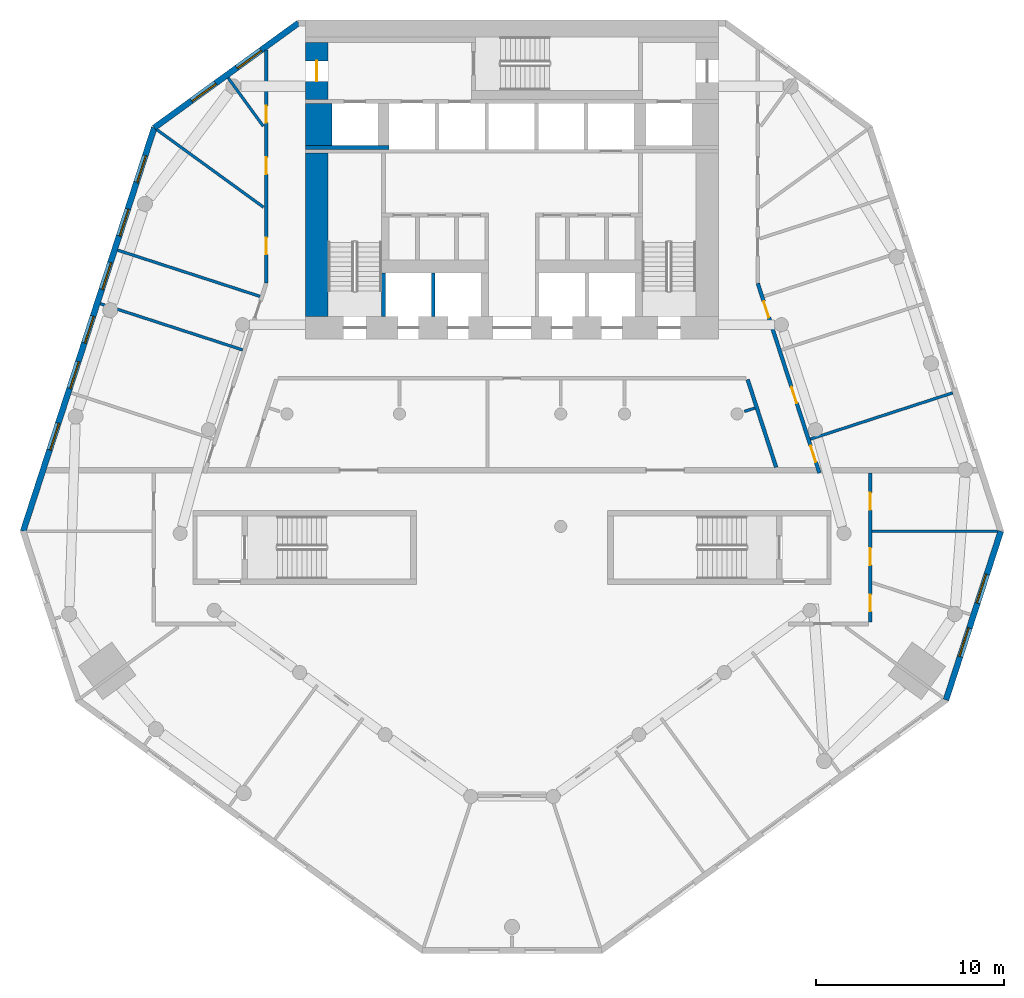
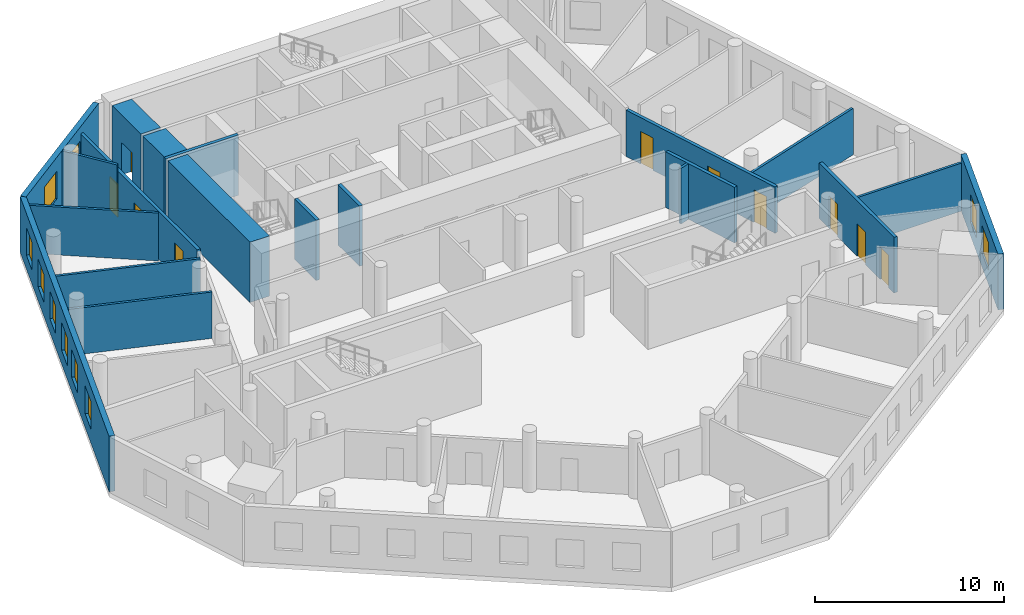
# One storey, part 4 of 9: 20 walls, 10 doors, 10 windows, 20 openings.
"""IFC4 building model written with IfcOpenShell, lengths in metres."""

from ifc_helpers import new_model, si_unit, direction, frame, frame_2d, origin, place, context, subcontext, project, spatial, rectangle, extrude, material, layer, layer_set, type_object, element, fill, save


model = new_model("IFC4")

# Units and contexts
model_context = context("Model", 3, precision=1e-05, world=origin(), true_north=direction((0.0, 1.0)))
body_context = subcontext(model_context, "Body", "Model", "MODEL_VIEW")
ifc_project = project(units=[si_unit("LENGTHUNIT", "METRE"), si_unit("AREAUNIT", "SQUARE_METRE"), si_unit("VOLUMEUNIT", "CUBIC_METRE"), si_unit("PLANEANGLEUNIT", "RADIAN"), si_unit("MASSUNIT", "GRAM", prefix="KILO")], contexts=[model_context])

# Site, building, storey
site_placement = place(None, origin())
site = spatial("IfcSite", under=ifc_project, at=site_placement, CompositionType="ELEMENT")
building_placement = place(site_placement, origin())
building = spatial("IfcBuilding", under=site, at=building_placement, Name="White Candle Pilgrim Tower", CompositionType="ELEMENT")
storey_placement = place(building_placement, frame((0.0, 0.0, 58.5)))
storey = spatial("IfcBuildingStorey", under=building, at=storey_placement, Name="L11", CompositionType="ELEMENT", Elevation=58.5)

# Wall, opening, door
ifc_material_1 = material(Name="Concrete C70/85", Category="concrete")
ifc_layer_1 = layer(ifc_material_1, 1.199951171875)
ifc_layer_set_1 = layer_set([ifc_layer_1], Name="Core wall 1200 mm Concrete C70/85")
wall_type_1 = type_object("IfcWallType", Name="Core wall 1200 mm Concrete C70/85", PredefinedType="SHEAR", material=ifc_layer_set_1)
wall_1_placement = place(storey_placement, frame((59.60009765625, 83.75, 0.0), z_axis=(0.0, 0.0, 1.0), x_axis=(0.0, 1.0, 0.0)))
wall_1 = element("IfcWall", 1, at=wall_1_placement, inside=storey, type_object=wall_type_1, Name="WL-L11-C46", PredefinedType="SHEAR", context=body_context, shape_type="SweptSolid", body=[
    extrude(rectangle(XDim=3.050048828125, YDim=1.199951171875, at=frame_2d((1.52490234375, 0.0))), origin(), (0.0, 0.0, 1.0), 3.89990234375),
])
opening_1_placement = place(wall_1_placement, frame((0.97509765625, 0.0, 0.0)))
opening_1 = element("IfcOpeningElement", 2, at=opening_1_placement, cuts=wall_1, Name="Opening T03-005", PredefinedType="OPENING", context=body_context, shape_type="SweptSolid", body=[
    extrude(rectangle(XDim=1.10009765625, YDim=2.10009765625, at=frame_2d((0.550048828125, 1.050048828125))), frame((0.0, 0.60986328125, 0.0), z_axis=(0.0, -1.0, 0.0), x_axis=(1.0, 0.0, 0.0)), (0.0, 0.0, 1.0), 1.219970703125),
])
ifc_material_2 = material(Name="Steel door leaf", Category="steel")
door_type_1 = type_object("IfcDoorType", Name="Fire door 1100 x 2100 EI 60", OperationType="NOTDEFINED", PredefinedType="DOOR", material=ifc_material_2)
door_1_placement = place(opening_1_placement, origin())
door_1 = element("IfcDoor", 3, at=door_1_placement, inside=storey, type_object=door_type_1, Name="Door T03-005", OperationType="SINGLE_SWING_LEFT", OverallHeight=2.10009765625, OverallWidth=1.10009765625, PredefinedType="DOOR", context=body_context, shape_type="SweptSolid", body=[
    extrude(rectangle(XDim=1.10009765625, YDim=2.10009765625, at=frame_2d((0.550048828125, 1.050048828125))), frame((0.0, 0.02490234375, 0.0), z_axis=(0.0, -1.0, 0.0), x_axis=(1.0, 0.0, 0.0)), (0.0, 0.0, 1.0), 0.050048828125),
])
fill(opening_1, door_1)

# Walls
ifc_layer_2 = layer(ifc_material_1, 1.39990234375)
ifc_layer_set_2 = layer_set([ifc_layer_2], Name="Core wall 1400 mm Concrete C70/85")
wall_type_2 = type_object("IfcWallType", Name="Core wall 1400 mm Concrete C70/85", PredefinedType="SHEAR", material=ifc_layer_set_2)
wall_2_placement = place(storey_placement, frame((59.699951171875, 81.300048828125, 0.0), z_axis=(0.0, 0.0, 1.0), x_axis=(0.0, 1.0, 0.0)))
element("IfcWall", 4, at=wall_2_placement, inside=storey, type_object=wall_type_2, Name="WL-L11-C41", PredefinedType="SHEAR", context=body_context, shape_type="SweptSolid", body=[
    extrude(rectangle(XDim=2.25, YDim=1.39990234375, at=frame_2d((1.125, 0.0))), origin(), (0.0, 0.0, 1.0), 3.89990234375),
])
ifc_layer_3 = layer(ifc_material_1, 0.199951171875)
ifc_layer_set_3 = layer_set([ifc_layer_3], Name="Core wall 200 mm Concrete C70/85")
wall_type_3 = type_object("IfcWallType", Name="Core wall 200 mm Concrete C70/85", PredefinedType="SHEAR", material=ifc_layer_set_3)
wall_3_placement = place(storey_placement, frame((59.0, 81.199951171875, 0.0), z_axis=(0.0, 0.0, 1.0), x_axis=(1.0, 0.0, 0.0)))
element("IfcWall", 5, at=wall_3_placement, inside=storey, type_object=wall_type_3, Name="WL-L11-C35", PredefinedType="SHEAR", context=body_context, shape_type="SweptSolid", body=[
    extrude(rectangle(XDim=4.449951171875, YDim=0.199951171875, at=frame_2d((2.22509765625, 0.0))), origin(), (0.0, 0.0, 1.0), 3.89990234375),
])

# Wall, openings, doors
ifc_material_3 = material(Name="Gypsum board on steel studs", Category="steel")
ifc_layer_4 = layer(ifc_material_3, 0.199951171875)
ifc_layer_set_4 = layer_set([ifc_layer_4], Name="Corridor wall 200 mm EI 45")
wall_type_4 = type_object("IfcWallType", Name="Corridor wall 200 mm EI 45", PredefinedType="PARTITIONING", material=ifc_layer_set_4)
wall_4_placement = place(storey_placement, frame((56.89990234375, 73.991455078125, 0.0), z_axis=(0.0, 0.0, 1.0), x_axis=(0.0, 1.0, 0.0)))
wall_4 = element("IfcWall", 6, at=wall_4_placement, inside=storey, type_object=wall_type_4, Name="WL-L11-P003", PredefinedType="PARTITIONING", context=body_context, shape_type="SweptSolid", body=[
    extrude(rectangle(XDim=12.40478515625, YDim=0.199951171875, at=frame_2d((6.202392578125, 0.0))), origin(), (0.0, 0.0, 1.0), 3.10009765625),
])
opening_2_placement = place(wall_4_placement, frame((1.507568359375, 0.0, 0.0)))
opening_2 = element("IfcOpeningElement", 7, at=opening_2_placement, cuts=wall_4, Name="Opening T03-118", PredefinedType="OPENING", context=body_context, shape_type="SweptSolid", body=[
    extrude(rectangle(XDim=0.89990234375, YDim=2.10009765625, at=frame_2d((0.449951171875, 1.050048828125))), frame((0.0, 0.10986328125, 0.0), z_axis=(0.0, -1.0, 0.0), x_axis=(1.0, 0.0, 0.0)), (0.0, 0.0, 1.0), 0.219970703125),
])
opening_3_placement = place(wall_4_placement, frame((5.78759765625, 0.0, 0.0)))
opening_3 = element("IfcOpeningElement", 8, at=opening_3_placement, cuts=wall_4, Name="Opening T03-119", PredefinedType="OPENING", context=body_context, shape_type="SweptSolid", body=[
    extrude(rectangle(XDim=0.89990234375, YDim=2.10009765625, at=frame_2d((0.449951171875, 1.050048828125))), frame((0.0, 0.10986328125, 0.0), z_axis=(0.0, -1.0, 0.0), x_axis=(1.0, 0.0, 0.0)), (0.0, 0.0, 1.0), 0.219970703125),
])
opening_4_placement = place(wall_4_placement, frame((8.533203125, 0.0, 0.0)))
opening_4 = element("IfcOpeningElement", 9, at=opening_4_placement, cuts=wall_4, Name="Opening T03-120", PredefinedType="OPENING", context=body_context, shape_type="SweptSolid", body=[
    extrude(rectangle(XDim=0.89990234375, YDim=2.10009765625, at=frame_2d((0.449951171875, 1.050048828125))), frame((0.0, 0.10986328125, 0.0), z_axis=(0.0, -1.0, 0.0), x_axis=(1.0, 0.0, 0.0)), (0.0, 0.0, 1.0), 0.219970703125),
])
door_type_2 = type_object("IfcDoorType", Name="Fire door 900 x 2100 EI 30", OperationType="NOTDEFINED", PredefinedType="DOOR", material=ifc_material_2)
door_2_placement = place(opening_2_placement, origin())
door_2 = element("IfcDoor", 10, at=door_2_placement, inside=storey, type_object=door_type_2, Name="Door T03-118", OperationType="SINGLE_SWING_RIGHT", OverallHeight=2.10009765625, OverallWidth=0.89990234375, PredefinedType="DOOR", context=body_context, shape_type="SweptSolid", body=[
    extrude(rectangle(XDim=0.89990234375, YDim=2.10009765625, at=frame_2d((0.449951171875, 1.050048828125))), frame((0.0, 0.02490234375, 0.0), z_axis=(0.0, -1.0, 0.0), x_axis=(1.0, 0.0, 0.0)), (0.0, 0.0, 1.0), 0.050048828125),
])
fill(opening_2, door_2)
door_3_placement = place(opening_3_placement, origin())
door_3 = element("IfcDoor", 11, at=door_3_placement, inside=storey, type_object=door_type_2, Name="Door T03-119", OperationType="SINGLE_SWING_LEFT", OverallHeight=2.10009765625, OverallWidth=0.89990234375, PredefinedType="DOOR", context=body_context, shape_type="SweptSolid", body=[
    extrude(rectangle(XDim=0.89990234375, YDim=2.10009765625, at=frame_2d((0.449951171875, 1.050048828125))), frame((0.0, 0.02490234375, 0.0), z_axis=(0.0, -1.0, 0.0), x_axis=(1.0, 0.0, 0.0)), (0.0, 0.0, 1.0), 0.050048828125),
])
fill(opening_3, door_3)
door_4_placement = place(opening_4_placement, origin())
door_4 = element("IfcDoor", 12, at=door_4_placement, inside=storey, type_object=door_type_2, Name="Door T03-120", OperationType="SINGLE_SWING_RIGHT", OverallHeight=2.10009765625, OverallWidth=0.89990234375, PredefinedType="DOOR", context=body_context, shape_type="SweptSolid", body=[
    extrude(rectangle(XDim=0.89990234375, YDim=2.10009765625, at=frame_2d((0.449951171875, 1.050048828125))), frame((0.0, 0.02490234375, 0.0), z_axis=(0.0, -1.0, 0.0), x_axis=(1.0, 0.0, 0.0)), (0.0, 0.0, 1.0), 0.050048828125),
])
fill(opening_4, door_4)

wall_5_placement = place(storey_placement, frame((83.10498046875, 73.960693359375, 0.0), z_axis=(0.0, 0.0, 1.0), x_axis=(0.308998312102, -0.951062586331, 0.0)))
wall_5 = element("IfcWall", 13, at=wall_5_placement, inside=storey, type_object=wall_type_4, Name="WL-L11-P005", PredefinedType="PARTITIONING", context=body_context, shape_type="SweptSolid", body=[
    extrude(rectangle(XDim=10.630859375, YDim=0.199951171875, at=frame_2d((5.3154296875, 0.0))), origin(), (0.0, 0.0, 1.0), 3.0),
])
opening_5_placement = place(wall_5_placement, frame((1.014404296875, 0.0, 0.0)))
opening_5 = element("IfcOpeningElement", 14, at=opening_5_placement, cuts=wall_5, Name="Opening T03-125", PredefinedType="OPENING", context=body_context, shape_type="SweptSolid", body=[
    extrude(rectangle(XDim=0.89990234375, YDim=2.10009765625, at=frame_2d((0.449951171875, 1.050048828125))), frame((0.0, 0.10986328125, 0.0), z_axis=(0.0, -1.0, 0.0), x_axis=(1.0, 0.0, 0.0)), (0.0, 0.0, 1.0), 0.219970703125),
])
opening_6_placement = place(wall_5_placement, frame((5.814208984375, 0.0, 0.0)))
opening_6 = element("IfcOpeningElement", 15, at=opening_6_placement, cuts=wall_5, Name="Opening T03-126", PredefinedType="OPENING", context=body_context, shape_type="SweptSolid", body=[
    extrude(rectangle(XDim=0.89990234375, YDim=2.10009765625, at=frame_2d((0.449951171875, 1.050048828125))), frame((0.0, 0.10986328125, 0.0), z_axis=(0.0, -1.0, 0.0), x_axis=(1.0, 0.0, 0.0)), (0.0, 0.0, 1.0), 0.219970703125),
])
opening_7_placement = place(wall_5_placement, frame((9.107666015625, 0.0, 0.0)))
opening_7 = element("IfcOpeningElement", 16, at=opening_7_placement, cuts=wall_5, Name="Opening T03-127", PredefinedType="OPENING", context=body_context, shape_type="SweptSolid", body=[
    extrude(rectangle(XDim=0.89990234375, YDim=2.10009765625, at=frame_2d((0.449951171875, 1.050048828125))), frame((0.0, 0.10986328125, 0.0), z_axis=(0.0, -1.0, 0.0), x_axis=(1.0, 0.0, 0.0)), (0.0, 0.0, 1.0), 0.219970703125),
])
door_5_placement = place(opening_5_placement, origin())
door_5 = element("IfcDoor", 17, at=door_5_placement, inside=storey, type_object=door_type_2, Name="Door T03-125", OperationType="SINGLE_SWING_LEFT", OverallHeight=2.10009765625, OverallWidth=0.89990234375, PredefinedType="DOOR", context=body_context, shape_type="SweptSolid", body=[
    extrude(rectangle(XDim=0.89990234375, YDim=2.10009765625, at=frame_2d((0.449951171875, 1.050048828125))), frame((0.0, 0.02490234375, 0.0), z_axis=(0.0, -1.0, 0.0), x_axis=(1.0, 0.0, 0.0)), (0.0, 0.0, 1.0), 0.050048828125),
])
fill(opening_5, door_5)
door_6_placement = place(opening_6_placement, origin())
door_6 = element("IfcDoor", 18, at=door_6_placement, inside=storey, type_object=door_type_2, Name="Door T03-126", OperationType="SINGLE_SWING_RIGHT", OverallHeight=2.10009765625, OverallWidth=0.89990234375, PredefinedType="DOOR", context=body_context, shape_type="SweptSolid", body=[
    extrude(rectangle(XDim=0.89990234375, YDim=2.10009765625, at=frame_2d((0.449951171875, 1.050048828125))), frame((0.0, 0.02490234375, 0.0), z_axis=(0.0, -1.0, 0.0), x_axis=(1.0, 0.0, 0.0)), (0.0, 0.0, 1.0), 0.050048828125),
])
fill(opening_6, door_6)
door_7_placement = place(opening_7_placement, origin())
door_7 = element("IfcDoor", 19, at=door_7_placement, inside=storey, type_object=door_type_2, Name="Door T03-127", OperationType="SINGLE_SWING_LEFT", OverallHeight=2.10009765625, OverallWidth=0.89990234375, PredefinedType="DOOR", context=body_context, shape_type="SweptSolid", body=[
    extrude(rectangle(XDim=0.89990234375, YDim=2.10009765625, at=frame_2d((0.449951171875, 1.050048828125))), frame((0.0, 0.02490234375, 0.0), z_axis=(0.0, -1.0, 0.0), x_axis=(1.0, 0.0, 0.0)), (0.0, 0.0, 1.0), 0.050048828125),
])
fill(opening_7, door_7)

wall_6_placement = place(storey_placement, frame((89.10009765625, 63.85009765625, 0.0), z_axis=(0.0, 0.0, 1.0), x_axis=(0.0, -1.0, 0.0)))
wall_6 = element("IfcWall", 20, at=wall_6_placement, inside=storey, type_object=wall_type_4, Name="WL-L11-P006", PredefinedType="PARTITIONING", context=body_context, shape_type="SweptSolid", body=[
    extrude(rectangle(XDim=7.9501953125, YDim=0.199951171875, at=frame_2d((3.97509765625, 0.0))), origin(), (0.0, 0.0, 1.0), 3.60009765625),
])
opening_8_placement = place(wall_6_placement, frame((6.482666015625, 0.0, 0.0)))
opening_8 = element("IfcOpeningElement", 21, at=opening_8_placement, cuts=wall_6, Name="Opening T03-110", PredefinedType="OPENING", context=body_context, shape_type="SweptSolid", body=[
    extrude(rectangle(XDim=0.89990234375, YDim=2.10009765625, at=frame_2d((0.449951171875, 1.050048828125))), frame((0.0, 0.10986328125, 0.0), z_axis=(0.0, -1.0, 0.0), x_axis=(1.0, 0.0, 0.0)), (0.0, 0.0, 1.0), 0.219970703125),
])
opening_9_placement = place(wall_6_placement, frame((4.0087890625, 0.0, 0.0)))
opening_9 = element("IfcOpeningElement", 22, at=opening_9_placement, cuts=wall_6, Name="Opening T03-111", PredefinedType="OPENING", context=body_context, shape_type="SweptSolid", body=[
    extrude(rectangle(XDim=0.89990234375, YDim=2.10009765625, at=frame_2d((0.449951171875, 1.050048828125))), frame((0.0, 0.10986328125, 0.0), z_axis=(0.0, -1.0, 0.0), x_axis=(1.0, 0.0, 0.0)), (0.0, 0.0, 1.0), 0.219970703125),
])
opening_10_placement = place(wall_6_placement, frame((1.063720703125, 0.0, 0.0)))
opening_10 = element("IfcOpeningElement", 23, at=opening_10_placement, cuts=wall_6, Name="Opening T03-128", PredefinedType="OPENING", context=body_context, shape_type="SweptSolid", body=[
    extrude(rectangle(XDim=0.89990234375, YDim=2.10009765625, at=frame_2d((0.449951171875, 1.050048828125))), frame((0.0, 0.10986328125, 0.0), z_axis=(0.0, -1.0, 0.0), x_axis=(1.0, 0.0, 0.0)), (0.0, 0.0, 1.0), 0.219970703125),
])
door_8_placement = place(opening_8_placement, origin())
door_8 = element("IfcDoor", 24, at=door_8_placement, inside=storey, type_object=door_type_2, Name="Door T03-110", OperationType="SINGLE_SWING_RIGHT", OverallHeight=2.10009765625, OverallWidth=0.89990234375, PredefinedType="DOOR", context=body_context, shape_type="SweptSolid", body=[
    extrude(rectangle(XDim=0.89990234375, YDim=2.10009765625, at=frame_2d((0.449951171875, 1.050048828125))), frame((0.0, 0.02490234375, 0.0), z_axis=(0.0, -1.0, 0.0), x_axis=(1.0, 0.0, 0.0)), (0.0, 0.0, 1.0), 0.050048828125),
])
fill(opening_8, door_8)
door_9_placement = place(opening_9_placement, origin())
door_9 = element("IfcDoor", 25, at=door_9_placement, inside=storey, type_object=door_type_2, Name="Door T03-111", OperationType="SINGLE_SWING_LEFT", OverallHeight=2.10009765625, OverallWidth=0.89990234375, PredefinedType="DOOR", context=body_context, shape_type="SweptSolid", body=[
    extrude(rectangle(XDim=0.89990234375, YDim=2.10009765625, at=frame_2d((0.449951171875, 1.050048828125))), frame((0.0, 0.02490234375, 0.0), z_axis=(0.0, -1.0, 0.0), x_axis=(1.0, 0.0, 0.0)), (0.0, 0.0, 1.0), 0.050048828125),
])
fill(opening_9, door_9)
door_10_placement = place(opening_10_placement, origin())
door_10 = element("IfcDoor", 26, at=door_10_placement, inside=storey, type_object=door_type_2, Name="Door T03-128", OperationType="SINGLE_SWING_RIGHT", OverallHeight=2.10009765625, OverallWidth=0.89990234375, PredefinedType="DOOR", context=body_context, shape_type="SweptSolid", body=[
    extrude(rectangle(XDim=0.89990234375, YDim=2.10009765625, at=frame_2d((0.449951171875, 1.050048828125))), frame((0.0, 0.02490234375, 0.0), z_axis=(0.0, -1.0, 0.0), x_axis=(1.0, 0.0, 0.0)), (0.0, 0.0, 1.0), 0.050048828125),
])
fill(opening_10, door_10)

# Wall
wall_7_placement = place(storey_placement, frame((84.08447265625, 64.14990234375, 0.0), z_axis=(0.0, 0.0, 1.0), x_axis=(-0.308986244793, 0.95106650689, 0.0)))
element("IfcWall", 27, at=wall_7_placement, inside=storey, type_object=wall_type_4, Name="WL-L11-P015", PredefinedType="PARTITIONING", context=body_context, shape_type="SweptSolid", body=[
    extrude(rectangle(XDim=4.921630859375, YDim=0.199951171875, at=frame_2d((2.4609375, 0.0))), origin(), (0.0, 0.0, 1.0), 3.60009765625),
])

# Wall, openings, windows
ifc_material_4 = material(Name="Precast concrete C40/50", Category="concrete")
ifc_layer_5 = layer(ifc_material_4, 0.320068359375)
ifc_layer_set_5 = layer_set([ifc_layer_5], Name="Facade wall EW1 precast concrete C40/50 pier wall with timber-lined reveals")
wall_type_5 = type_object("IfcWallType", Name="Facade wall EW1 precast concrete C40/50 pier wall with timber-lined reveals", PredefinedType="SOLIDWALL", material=ifc_layer_set_5)
wall_8_placement = place(storey_placement, frame((93.137939453125, 51.747802734375, 0.0), z_axis=(0.0, 0.0, 1.0), x_axis=(0.309035900621, 0.951050373076, 0.0)))
wall_8 = element("IfcWall", 28, at=wall_8_placement, inside=storey, type_object=wall_type_5, Name="Facade wall L11 E chamfer", PredefinedType="SOLIDWALL", context=body_context, shape_type="SweptSolid", body=[
    extrude(rectangle(XDim=9.462646484375, YDim=0.320068359375, at=frame_2d((4.7314453125, 0.0))), origin(), (0.0, 0.0, 1.0), 3.60009765625),
])
opening_11_placement = place(wall_8_placement, frame((2.431396484375, 0.0, 0.89990234375)))
opening_11 = element("IfcOpeningElement", 29, at=opening_11_placement, cuts=wall_8, Name="Opening W2", PredefinedType="OPENING", context=body_context, shape_type="SweptSolid", body=[
    extrude(rectangle(XDim=1.60009765625, YDim=1.800048828125, at=frame_2d((0.800048828125, 0.89990234375))), frame((0.0, 0.169921875, 0.0), z_axis=(0.0, -1.0, 0.0), x_axis=(1.0, 0.0, 0.0)), (0.0, 0.0, 1.0), 0.340087890625),
])
opening_12_placement = place(wall_8_placement, frame((5.431396484375, 0.0, 0.89990234375)))
opening_12 = element("IfcOpeningElement", 30, at=opening_12_placement, cuts=wall_8, Name="Opening W2", PredefinedType="OPENING", context=body_context, shape_type="SweptSolid", body=[
    extrude(rectangle(XDim=1.60009765625, YDim=1.800048828125, at=frame_2d((0.800048828125, 0.89990234375))), frame((0.0, 0.169921875, 0.0), z_axis=(0.0, -1.0, 0.0), x_axis=(1.0, 0.0, 0.0)), (0.0, 0.0, 1.0), 0.340087890625),
])
ifc_material_5 = material(Name="Timber frame with triple glazing", Category="wood")
window_type_1 = type_object("IfcWindowType", Name="Window W2 1600x1800 timber frame triple glazing", PartitioningType="SINGLE_PANEL", PredefinedType="WINDOW", material=ifc_material_5)
window_1_placement = place(opening_11_placement, origin())
window_1 = element("IfcWindow", 31, at=window_1_placement, inside=storey, type_object=window_type_1, Name="Window W2 L11 E chamfer 1", OverallHeight=1.800048828125, OverallWidth=1.60009765625, PartitioningType="SINGLE_PANEL", PredefinedType="WINDOW", context=body_context, shape_type="SweptSolid", body=[
    extrude(rectangle(XDim=1.60009765625, YDim=1.800048828125, at=frame_2d((0.800048828125, 0.89990234375))), frame((0.0, 0.070068359375, 0.0), z_axis=(0.0, -1.0, 0.0), x_axis=(1.0, 0.0, 0.0)), (0.0, 0.0, 1.0), 0.06005859375),
])
fill(opening_11, window_1)
window_2_placement = place(opening_12_placement, origin())
window_2 = element("IfcWindow", 32, at=window_2_placement, inside=storey, type_object=window_type_1, Name="Window W2 L11 E chamfer 2", OverallHeight=1.800048828125, OverallWidth=1.60009765625, PartitioningType="SINGLE_PANEL", PredefinedType="WINDOW", context=body_context, shape_type="SweptSolid", body=[
    extrude(rectangle(XDim=1.60009765625, YDim=1.800048828125, at=frame_2d((0.800048828125, 0.89990234375))), frame((0.0, 0.070068359375, 0.0), z_axis=(0.0, -1.0, 0.0), x_axis=(1.0, 0.0, 0.0)), (0.0, 0.0, 1.0), 0.06005859375),
])
fill(opening_12, window_2)

wall_9_placement = place(storey_placement, frame((58.614990234375, 87.840087890625, 0.0), z_axis=(0.0, 0.0, 1.0), x_axis=(-0.809007020713, -0.587798979616, 0.0)))
wall_9 = element("IfcWall", 33, at=wall_9_placement, inside=storey, type_object=wall_type_5, Name="Facade wall L11 NW chamfer", PredefinedType="SOLIDWALL", context=body_context, shape_type="SweptSolid", body=[
    extrude(rectangle(XDim=9.5048828125, YDim=0.320068359375, at=frame_2d((4.75244140625, 0.0))), origin(), (0.0, 0.0, 1.0), 3.60009765625),
])
opening_13_placement = place(wall_9_placement, frame((2.459716796875, 0.0, 0.89990234375)))
opening_13 = element("IfcOpeningElement", 34, at=opening_13_placement, cuts=wall_9, Name="Opening W2", PredefinedType="OPENING", context=body_context, shape_type="SweptSolid", body=[
    extrude(rectangle(XDim=1.60009765625, YDim=1.800048828125, at=frame_2d((0.800048828125, 0.89990234375))), frame((0.0, 0.169921875, 0.0), z_axis=(0.0, -1.0, 0.0), x_axis=(1.0, 0.0, 0.0)), (0.0, 0.0, 1.0), 0.340087890625),
])
opening_14_placement = place(wall_9_placement, frame((5.452392578125, 0.0, 0.89990234375)))
opening_14 = element("IfcOpeningElement", 35, at=opening_14_placement, cuts=wall_9, Name="Opening W2", PredefinedType="OPENING", context=body_context, shape_type="SweptSolid", body=[
    extrude(rectangle(XDim=1.60009765625, YDim=1.800048828125, at=frame_2d((0.800048828125, 0.89990234375))), frame((0.0, 0.169921875, 0.0), z_axis=(0.0, -1.0, 0.0), x_axis=(1.0, 0.0, 0.0)), (0.0, 0.0, 1.0), 0.340087890625),
])
window_3_placement = place(opening_13_placement, origin())
window_3 = element("IfcWindow", 36, at=window_3_placement, inside=storey, type_object=window_type_1, Name="Window W2 L11 NW chamfer 1", OverallHeight=1.800048828125, OverallWidth=1.60009765625, PartitioningType="SINGLE_PANEL", PredefinedType="WINDOW", context=body_context, shape_type="SweptSolid", body=[
    extrude(rectangle(XDim=1.60009765625, YDim=1.800048828125, at=frame_2d((0.800048828125, 0.89990234375))), frame((0.0, 0.070068359375, 0.0), z_axis=(0.0, -1.0, 0.0), x_axis=(1.0, 0.0, 0.0)), (0.0, 0.0, 1.0), 0.06005859375),
])
fill(opening_13, window_3)
window_4_placement = place(opening_14_placement, origin())
window_4 = element("IfcWindow", 37, at=window_4_placement, inside=storey, type_object=window_type_1, Name="Window W2 L11 NW chamfer 2", OverallHeight=1.800048828125, OverallWidth=1.60009765625, PartitioningType="SINGLE_PANEL", PredefinedType="WINDOW", context=body_context, shape_type="SweptSolid", body=[
    extrude(rectangle(XDim=1.60009765625, YDim=1.800048828125, at=frame_2d((0.800048828125, 0.89990234375))), frame((0.0, 0.070068359375, 0.0), z_axis=(0.0, -1.0, 0.0), x_axis=(1.0, 0.0, 0.0)), (0.0, 0.0, 1.0), 0.06005859375),
])
fill(opening_14, window_4)

wall_10_placement = place(storey_placement, frame((50.925537109375, 82.253173828125, 0.0), z_axis=(0.0, 0.0, 1.0), x_axis=(-0.309021621323, -0.951055012896, 0.0)))
wall_10 = element("IfcWall", 38, at=wall_10_placement, inside=storey, type_object=wall_type_5, Name="Facade wall L11 WNW", PredefinedType="SOLIDWALL", context=body_context, shape_type="SweptSolid", body=[
    extrude(rectangle(XDim=22.612548828125, YDim=0.320068359375, at=frame_2d((11.30615234375, 0.0))), origin(), (0.0, 0.0, 1.0), 3.60009765625),
])
opening_15_placement = place(wall_10_placement, frame((1.556396484375, 0.0, 0.89990234375)))
opening_15 = element("IfcOpeningElement", 39, at=opening_15_placement, cuts=wall_10, Name="Opening W1", PredefinedType="OPENING", context=body_context, shape_type="SweptSolid", body=[
    extrude(rectangle(XDim=1.5, YDim=1.800048828125, at=frame_2d((0.75, 0.89990234375))), frame((0.0, 0.169921875, 0.0), z_axis=(0.0, -1.0, 0.0), x_axis=(1.0, 0.0, 0.0)), (0.0, 0.0, 1.0), 0.340087890625),
])
opening_16_placement = place(wall_10_placement, frame((4.556396484375, 0.0, 0.89990234375)))
opening_16 = element("IfcOpeningElement", 40, at=opening_16_placement, cuts=wall_10, Name="Opening W1", PredefinedType="OPENING", context=body_context, shape_type="SweptSolid", body=[
    extrude(rectangle(XDim=1.5, YDim=1.800048828125, at=frame_2d((0.75, 0.89990234375))), frame((0.0, 0.169921875, 0.0), z_axis=(0.0, -1.0, 0.0), x_axis=(1.0, 0.0, 0.0)), (0.0, 0.0, 1.0), 0.340087890625),
])
opening_17_placement = place(wall_10_placement, frame((7.556396484375, 0.0, 0.89990234375)))
opening_17 = element("IfcOpeningElement", 41, at=opening_17_placement, cuts=wall_10, Name="Opening W1", PredefinedType="OPENING", context=body_context, shape_type="SweptSolid", body=[
    extrude(rectangle(XDim=1.5, YDim=1.800048828125, at=frame_2d((0.75, 0.89990234375))), frame((0.0, 0.169921875, 0.0), z_axis=(0.0, -1.0, 0.0), x_axis=(1.0, 0.0, 0.0)), (0.0, 0.0, 1.0), 0.340087890625),
])
opening_18_placement = place(wall_10_placement, frame((10.556396484375, 0.0, 0.89990234375)))
opening_18 = element("IfcOpeningElement", 42, at=opening_18_placement, cuts=wall_10, Name="Opening W1", PredefinedType="OPENING", context=body_context, shape_type="SweptSolid", body=[
    extrude(rectangle(XDim=1.5, YDim=1.800048828125, at=frame_2d((0.75, 0.89990234375))), frame((0.0, 0.169921875, 0.0), z_axis=(0.0, -1.0, 0.0), x_axis=(1.0, 0.0, 0.0)), (0.0, 0.0, 1.0), 0.340087890625),
])
opening_19_placement = place(wall_10_placement, frame((13.106201171875, 0.0, 0.89990234375)))
opening_19 = element("IfcOpeningElement", 43, at=opening_19_placement, cuts=wall_10, Name="Opening W1", PredefinedType="OPENING", context=body_context, shape_type="SweptSolid", body=[
    extrude(rectangle(XDim=1.5, YDim=1.800048828125, at=frame_2d((0.75, 0.89990234375))), frame((0.0, 0.169921875, 0.0), z_axis=(0.0, -1.0, 0.0), x_axis=(1.0, 0.0, 0.0)), (0.0, 0.0, 1.0), 0.340087890625),
])
opening_20_placement = place(wall_10_placement, frame((16.556396484375, 0.0, 0.89990234375)))
opening_20 = element("IfcOpeningElement", 44, at=opening_20_placement, cuts=wall_10, Name="Opening W1", PredefinedType="OPENING", context=body_context, shape_type="SweptSolid", body=[
    extrude(rectangle(XDim=1.5, YDim=1.800048828125, at=frame_2d((0.75, 0.89990234375))), frame((0.0, 0.169921875, 0.0), z_axis=(0.0, -1.0, 0.0), x_axis=(1.0, 0.0, 0.0)), (0.0, 0.0, 1.0), 0.340087890625),
])
window_type_2 = type_object("IfcWindowType", Name="Window W1 1500x1800 timber frame triple glazing", PartitioningType="SINGLE_PANEL", PredefinedType="WINDOW", material=ifc_material_5)
window_5_placement = place(opening_15_placement, origin())
window_5 = element("IfcWindow", 45, at=window_5_placement, inside=storey, type_object=window_type_2, Name="Window W1 L11 WNW 1", OverallHeight=1.800048828125, OverallWidth=1.5, PartitioningType="SINGLE_PANEL", PredefinedType="WINDOW", context=body_context, shape_type="SweptSolid", body=[
    extrude(rectangle(XDim=1.5, YDim=1.800048828125, at=frame_2d((0.75, 0.89990234375))), frame((0.0, 0.070068359375, 0.0), z_axis=(0.0, -1.0, 0.0), x_axis=(1.0, 0.0, 0.0)), (0.0, 0.0, 1.0), 0.06005859375),
])
fill(opening_15, window_5)
window_6_placement = place(opening_16_placement, origin())
window_6 = element("IfcWindow", 46, at=window_6_placement, inside=storey, type_object=window_type_2, Name="Window W1 L11 WNW 2", OverallHeight=1.800048828125, OverallWidth=1.5, PartitioningType="SINGLE_PANEL", PredefinedType="WINDOW", context=body_context, shape_type="SweptSolid", body=[
    extrude(rectangle(XDim=1.5, YDim=1.800048828125, at=frame_2d((0.75, 0.89990234375))), frame((0.0, 0.070068359375, 0.0), z_axis=(0.0, -1.0, 0.0), x_axis=(1.0, 0.0, 0.0)), (0.0, 0.0, 1.0), 0.06005859375),
])
fill(opening_16, window_6)
window_7_placement = place(opening_17_placement, origin())
window_7 = element("IfcWindow", 47, at=window_7_placement, inside=storey, type_object=window_type_2, Name="Window W1 L11 WNW 3", OverallHeight=1.800048828125, OverallWidth=1.5, PartitioningType="SINGLE_PANEL", PredefinedType="WINDOW", context=body_context, shape_type="SweptSolid", body=[
    extrude(rectangle(XDim=1.5, YDim=1.800048828125, at=frame_2d((0.75, 0.89990234375))), frame((0.0, 0.070068359375, 0.0), z_axis=(0.0, -1.0, 0.0), x_axis=(1.0, 0.0, 0.0)), (0.0, 0.0, 1.0), 0.06005859375),
])
fill(opening_17, window_7)
window_8_placement = place(opening_18_placement, origin())
window_8 = element("IfcWindow", 48, at=window_8_placement, inside=storey, type_object=window_type_2, Name="Window W1 L11 WNW 4", OverallHeight=1.800048828125, OverallWidth=1.5, PartitioningType="SINGLE_PANEL", PredefinedType="WINDOW", context=body_context, shape_type="SweptSolid", body=[
    extrude(rectangle(XDim=1.5, YDim=1.800048828125, at=frame_2d((0.75, 0.89990234375))), frame((0.0, 0.070068359375, 0.0), z_axis=(0.0, -1.0, 0.0), x_axis=(1.0, 0.0, 0.0)), (0.0, 0.0, 1.0), 0.06005859375),
])
fill(opening_18, window_8)
window_9_placement = place(opening_19_placement, origin())
window_9 = element("IfcWindow", 49, at=window_9_placement, inside=storey, type_object=window_type_2, Name="Window W1 L11 WNW 5", OverallHeight=1.800048828125, OverallWidth=1.5, PartitioningType="SINGLE_PANEL", PredefinedType="WINDOW", context=body_context, shape_type="SweptSolid", body=[
    extrude(rectangle(XDim=1.5, YDim=1.800048828125, at=frame_2d((0.75, 0.89990234375))), frame((0.0, 0.070068359375, 0.0), z_axis=(0.0, -1.0, 0.0), x_axis=(1.0, 0.0, 0.0)), (0.0, 0.0, 1.0), 0.06005859375),
])
fill(opening_19, window_9)
window_10_placement = place(opening_20_placement, origin())
window_10 = element("IfcWindow", 50, at=window_10_placement, inside=storey, type_object=window_type_2, Name="Window W1 L11 WNW 6", OverallHeight=1.800048828125, OverallWidth=1.5, PartitioningType="SINGLE_PANEL", PredefinedType="WINDOW", context=body_context, shape_type="SweptSolid", body=[
    extrude(rectangle(XDim=1.5, YDim=1.800048828125, at=frame_2d((0.75, 0.89990234375))), frame((0.0, 0.070068359375, 0.0), z_axis=(0.0, -1.0, 0.0), x_axis=(1.0, 0.0, 0.0)), (0.0, 0.0, 1.0), 0.06005859375),
])
fill(opening_20, window_10)

# Walls
ifc_layer_6 = layer(ifc_material_3, 0.14990234375)
ifc_layer_set_6 = layer_set([ifc_layer_6], Name="Partition 150 mm EI 60")
wall_type_6 = type_object("IfcWallType", Name="Partition 150 mm EI 60", PredefinedType="PARTITIONING", material=ifc_layer_set_6)
wall_11_placement = place(storey_placement, frame((51.0615234375, 82.154296875, 0.0), z_axis=(0.0, 0.0, 1.0), x_axis=(0.809014980817, -0.587788023707, 0.0)))
element("IfcWall", 51, at=wall_11_placement, inside=storey, type_object=wall_type_6, Name="WL-L11-P016", PredefinedType="PARTITIONING", context=body_context, shape_type="SweptSolid", body=[
    extrude(rectangle(XDim=7.03857421875, YDim=0.14990234375, at=frame_2d((3.519287109375, 0.0))), origin(), (0.0, 0.0, 1.0), 3.10009765625),
])
wall_12_placement = place(storey_placement, frame((95.89404296875, 60.747314453125, 0.0), z_axis=(0.0, 0.0, 1.0), x_axis=(-1.0, 0.0, 0.0)))
element("IfcWall", 52, at=wall_12_placement, inside=storey, type_object=wall_type_6, Name="WL-L11-P022", PredefinedType="PARTITIONING", context=body_context, shape_type="SweptSolid", body=[
    extrude(rectangle(XDim=6.694091796875, YDim=0.14990234375, at=frame_2d((3.34716796875, 0.0))), origin(), (0.0, 0.0, 1.0), 3.10009765625),
])
wall_13_placement = place(storey_placement, frame((54.8642578125, 84.917236328125, 0.0), z_axis=(0.0, 0.0, 1.0), x_axis=(0.587771173364, -0.809027223128, 0.0)))
element("IfcWall", 53, at=wall_13_placement, inside=storey, type_object=wall_type_6, Name="WL-L11-P024", PredefinedType="PARTITIONING", context=body_context, shape_type="SweptSolid", body=[
    extrude(rectangle(XDim=3.18994140625, YDim=0.14990234375, at=frame_2d((1.594970703125, 0.0))), origin(), (0.0, 0.0, 1.0), 3.60009765625),
])
wall_14_placement = place(storey_placement, frame((48.974365234375, 75.730712890625, 0.0), z_axis=(0.0, 0.0, 1.0), x_axis=(0.95105160396, -0.309032112578, 0.0)))
element("IfcWall", 54, at=wall_14_placement, inside=storey, type_object=wall_type_6, Name="WL-L11-P025", PredefinedType="PARTITIONING", context=body_context, shape_type="SweptSolid", body=[
    extrude(rectangle(XDim=7.97998046875, YDim=0.14990234375, at=frame_2d((3.989990234375, 0.0))), origin(), (0.0, 0.0, 1.0), 3.10009765625),
])
wall_15_placement = place(storey_placement, frame((48.04736328125, 72.87744140625, 0.0), z_axis=(0.0, 0.0, 1.0), x_axis=(0.951060595449, -0.309004439749, 0.0)))
element("IfcWall", 55, at=wall_15_placement, inside=storey, type_object=wall_type_6, Name="WL-L11-P026", PredefinedType="PARTITIONING", context=body_context, shape_type="SweptSolid", body=[
    extrude(rectangle(XDim=7.97998046875, YDim=0.14990234375, at=frame_2d((3.989990234375, 0.0))), origin(), (0.0, 0.0, 1.0), 3.0),
])
wall_16_placement = place(storey_placement, frame((93.497802734375, 68.122314453125, 0.0), z_axis=(0.0, 0.0, 1.0), x_axis=(-0.951054525606, -0.30902312102, 0.0)))
element("IfcWall", 56, at=wall_16_placement, inside=storey, type_object=wall_type_6, Name="WL-L11-P034", PredefinedType="PARTITIONING", context=body_context, shape_type="SweptSolid", body=[
    extrude(rectangle(XDim=7.980224609375, YDim=0.14990234375, at=frame_2d((3.990234375, 0.0))), origin(), (0.0, 0.0, 1.0), 3.0),
])
wall_17_placement = place(storey_placement, frame((82.393798828125, 67.131103515625, 0.0), z_axis=(0.0, 0.0, 1.0), x_axis=(0.9511501924, 0.30872854014, 0.0)))
element("IfcWall", 57, at=wall_17_placement, inside=storey, type_object=wall_type_6, Name="WL-L11-P047", PredefinedType="PARTITIONING", context=body_context, shape_type="SweptSolid", body=[
    extrude(rectangle(XDim=0.586669921875, YDim=0.14990234375, at=frame_2d((0.29345703125, 0.0))), origin(), (0.0, 0.0, 1.0), 3.60009765625),
])
ifc_layer_7 = layer(ifc_material_1, 0.199951171875)
ifc_layer_set_7 = layer_set([ifc_layer_7], Name="Shaft wall 200 mm Concrete C70/85")
wall_type_7 = type_object("IfcWallType", Name="Shaft wall 200 mm Concrete C70/85", PredefinedType="SHEAR", material=ifc_layer_set_7)
wall_18_placement = place(storey_placement, frame((65.800048828125, 72.199951171875, 0.0), z_axis=(0.0, 0.0, 1.0), x_axis=(0.0, 1.0, 0.0)))
element("IfcWall", 58, at=wall_18_placement, inside=storey, type_object=wall_type_7, Name="WL-L11-C14", PredefinedType="SHEAR", context=body_context, shape_type="SweptSolid", body=[
    extrude(rectangle(XDim=2.300048828125, YDim=0.199951171875, at=frame_2d((1.14990234375, 0.0))), origin(), (0.0, 0.0, 1.0), 3.89990234375),
])
ifc_layer_8 = layer(ifc_material_1, 1.199951171875)
ifc_layer_set_8 = layer_set([ifc_layer_8], Name="Stair shaft wall 1200 mm Concrete C70/85")
wall_type_8 = type_object("IfcWallType", Name="Stair shaft wall 1200 mm Concrete C70/85", PredefinedType="SHEAR", material=ifc_layer_set_8)
wall_19_placement = place(storey_placement, frame((59.60009765625, 72.199951171875, 0.0), z_axis=(0.0, 0.0, 1.0), x_axis=(0.0, 1.0, 0.0)))
element("IfcWall", 59, at=wall_19_placement, inside=storey, type_object=wall_type_8, Name="WL-L11-C12", PredefinedType="SHEAR", context=body_context, shape_type="SweptSolid", body=[
    extrude(rectangle(XDim=8.699951171875, YDim=1.199951171875, at=frame_2d((4.35009765625, 0.0))), origin(), (0.0, 0.0, 1.0), 3.89990234375),
])
ifc_layer_9 = layer(ifc_material_1, 0.199951171875)
ifc_layer_set_9 = layer_set([ifc_layer_9], Name="Stair shaft wall 200 mm Concrete C70/85")
wall_type_9 = type_object("IfcWallType", Name="Stair shaft wall 200 mm Concrete C70/85", PredefinedType="SHEAR", material=ifc_layer_set_9)
wall_20_placement = place(storey_placement, frame((63.14990234375, 72.199951171875, 0.0), z_axis=(0.0, 0.0, 1.0), x_axis=(0.0, 1.0, 0.0)))
element("IfcWall", 60, at=wall_20_placement, inside=storey, type_object=wall_type_9, Name="WL-L11-C13", PredefinedType="SHEAR", context=body_context, shape_type="SweptSolid", body=[
    extrude(rectangle(XDim=2.300048828125, YDim=0.199951171875, at=frame_2d((1.14990234375, 0.0))), origin(), (0.0, 0.0, 1.0), 3.89990234375),
])

save(model, "model.ifc")
